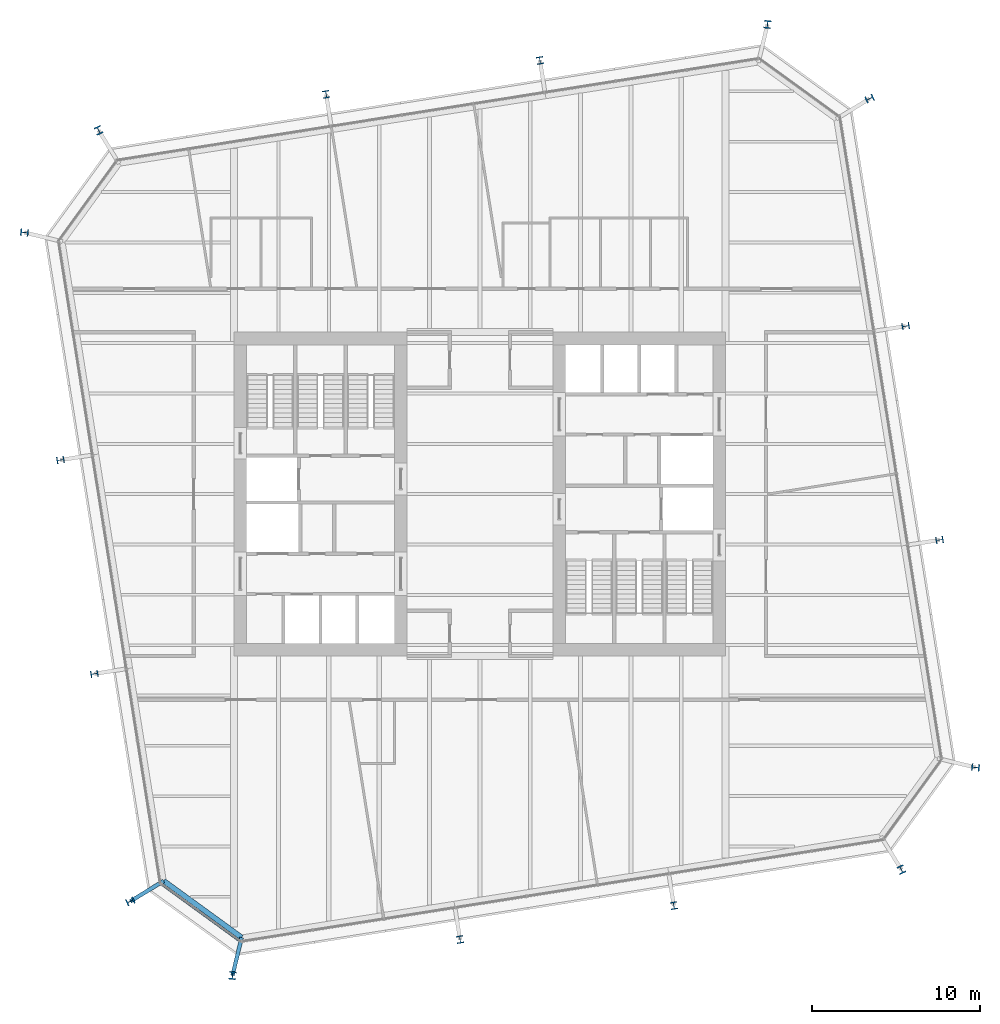
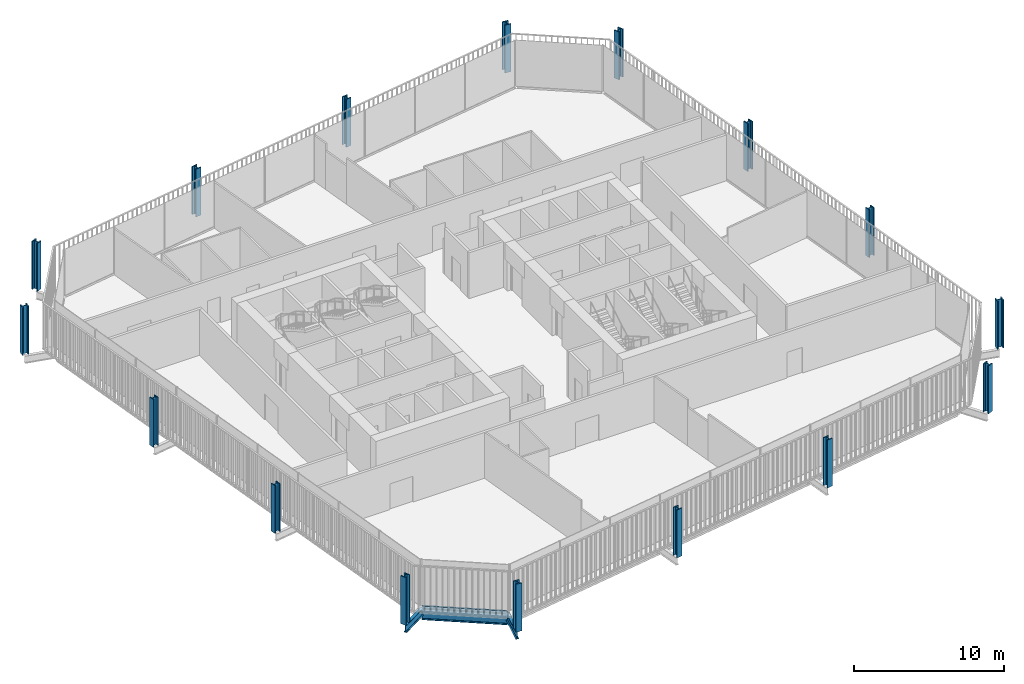
# One storey, part 1 of 21: 16 columns, 3 beams, 1 member, 1 element without a shape of its own.
"""IFC4 building model written with IfcOpenShell, lengths in metres."""

from ifc_helpers import new_model, si_unit, direction, frame, origin, origin_2d, place, context, subcontext, project, spatial, rectangle, i_section, extrude, material, layer, layer_set, material_profile, profile_set, type_object, element, aggregate, save


model = new_model("IFC4")

# Units and contexts
model_context = context("Model", 3, precision=1e-05, world=origin(), true_north=direction((0.0, 1.0)))
body_context = subcontext(model_context, "Body", "Model", "MODEL_VIEW")
ifc_project = project(units=[si_unit("LENGTHUNIT", "METRE"), si_unit("AREAUNIT", "SQUARE_METRE"), si_unit("VOLUMEUNIT", "CUBIC_METRE"), si_unit("PLANEANGLEUNIT", "RADIAN"), si_unit("MASSUNIT", "GRAM", prefix="KILO")], contexts=[model_context])

# Site, building, storey
site_placement = place(None, origin())
site = spatial("IfcSite", under=ifc_project, at=site_placement, CompositionType="ELEMENT")
building_placement = place(site_placement, origin())
building = spatial("IfcBuilding", under=site, at=building_placement, Name="Millrace Tower", CompositionType="ELEMENT")
storey_placement = place(building_placement, frame((0.0, 0.0, 183.89990234375)))
storey = spatial("IfcBuildingStorey", under=building, at=storey_placement, Name="L41", CompositionType="ELEMENT", Elevation=183.89990234375)

# Columns
ifc_material_1 = material(Name="Steel ASTM A913 Grade 65", Category="steel")
ifc_material_profile_1 = material_profile(ifc_material_1, i_section(OverallWidth=0.419189453125, OverallDepth=0.45458984375, WebThickness=0.042236328125, FlangeThickness=0.067626953125, FilletRadius=0.01513671875, at=origin_2d()))
ifc_profile_set_1 = profile_set([ifc_material_profile_1], Name="Steel ASTM A913 Grade 65")
column_type_1 = type_object("IfcColumnType", Name="Exoskeleton column W14x370", PredefinedType="COLUMN", material=ifc_profile_set_1)
for number, where, z_axis, x_axis, name in (
    (1, (-1.181396484375, -26.545166015625, 0.0), (0.0, 0.0, 1.0), (0.987688339156, 0.156434474125, 0.0), "COL-C-L41-X03"),
    (2, (11.5595703125, -24.527099609375, 0.0), (0.0, 0.0, 1.0), (0.987688338239, 0.156434479917, 0.0), "COL-C-L41-X04"),
    (3, (27.39501953125, -2.7314453125, 0.0), (0.0, 0.0, 1.0), (-0.156434474125, 0.987688339156, 0.0), "COL-C-L41-X07"),
    (4, (25.376953125, 10.009765625, 0.0), (0.0, 0.0, 1.0), (-0.156434479917, 0.987688338239, 0.0), "COL-C-L41-X08"),
    (5, (3.58154296875, 25.844970703125, 0.0), (0.0, 0.0, 1.0), (-0.987688339156, -0.156434474125, 0.0), "COL-C-L41-X11"),
    (6, (-9.15966796875, 23.8271484375, 0.0), (0.0, 0.0, 1.0), (-0.987688338239, -0.156434479917, 0.0), "COL-C-L41-X12"),
    (7, (-24.9951171875, 2.031494140625, 0.0), (0.0, 0.0, 1.0), (0.156434474125, -0.987688339156, 0.0), "COL-C-L41-X15"),
    (8, (-22.97705078125, -10.709716796875, 0.0), (0.0, 0.0, 1.0), (0.156434479917, -0.987688338239, 0.0), "COL-C-L41-X16"),
):
    element("IfcColumn", number, at=place(storey_placement, frame(where, z_axis=z_axis, x_axis=x_axis)), inside=storey, type_object=column_type_1, Name=name, PredefinedType="COLUMN", context=body_context, shape_type="SweptSolid", body=[
        extrude(i_section(OverallWidth=0.419189453125, OverallDepth=0.45458984375, WebThickness=0.042236328125, FlangeThickness=0.067626953125, FilletRadius=0.01513671875, at=origin_2d()), origin(), (0.0, 0.0, 1.0), 3.900146484375),
    ])
ifc_material_2 = material(Name="Steel ASTM A913 Grade 65", Category="steel")
ifc_material_profile_2 = material_profile(ifc_material_2, i_section(OverallWidth=0.4267578125, OverallDepth=0.482666015625, WebThickness=0.05126953125, FlangeThickness=0.08154296875, FilletRadius=0.01513671875, at=origin_2d()))
ifc_profile_set_2 = profile_set([ifc_material_profile_2], Name="Steel ASTM A913 Grade 65")
column_type_2 = type_object("IfcColumnType", Name="Exoskeleton column W14x455", PredefinedType="COLUMN", material=ifc_profile_set_2)
for number, where, z_axis, x_axis, name in (
    (9, (-20.829345703125, -24.26904296875, 0.0), (0.0, 0.0, 1.0), (0.416401106568, -0.909181015227, 0.0), "COL-C-L41-X01"),
    (10, (-14.740966796875, -28.692626953125, 0.0), (0.0, 0.0, 1.0), (0.993357548409, -0.115068592665, 0.0), "COL-C-L41-X02"),
    (11, (25.119140625, -22.37939453125, 0.0), (0.0, 0.0, 1.0), (0.909181015227, 0.416401106568, 0.0), "COL-C-L41-X05"),
    (12, (29.542724609375, -16.291015625, 0.0), (0.0, 0.0, 1.0), (0.115068592665, 0.993357548409, 0.0), "COL-C-L41-X06"),
    (13, (23.2294921875, 23.569091796875, 0.0), (0.0, 0.0, 1.0), (-0.416401106568, 0.909181015227, 0.0), "COL-C-L41-X09"),
    (14, (17.140869140625, 27.99267578125, 0.0), (0.0, 0.0, 1.0), (-0.993357548409, 0.115068592665, 0.0), "COL-C-L41-X10"),
    (15, (-22.718994140625, 21.679443359375, 0.0), (0.0, 0.0, 1.0), (-0.909181015227, -0.416401106568, 0.0), "COL-C-L41-X13"),
    (16, (-27.142578125, 15.5908203125, 0.0), (0.0, 0.0, 1.0), (-0.115068592665, -0.993357548409, 0.0), "COL-C-L41-X14"),
):
    element("IfcColumn", number, at=place(storey_placement, frame(where, z_axis=z_axis, x_axis=x_axis)), inside=storey, type_object=column_type_2, Name=name, PredefinedType="COLUMN", context=body_context, shape_type="SweptSolid", body=[
        extrude(i_section(OverallWidth=0.4267578125, OverallDepth=0.482666015625, WebThickness=0.05126953125, FlangeThickness=0.08154296875, FilletRadius=0.01513671875, at=origin_2d()), origin(), (0.0, 0.0, 1.0), 3.900146484375),
    ])

# Curtain wall, member
ifc_material_3 = material(Name="Aluminium and glass", Category="aluminium")
ifc_layer = layer(ifc_material_3, 0.14990234375)
ifc_layer_set = layer_set([ifc_layer], Name="Aluminium and glass")
curtain_wall_type = type_object("IfcCurtainWallType", Name="CW-1 office vision curtain wall", PredefinedType="NOTDEFINED", material=ifc_layer_set)
curtain_wall_placement = place(storey_placement, origin())
curtain_wall = element("IfcCurtainWall", 17, at=curtain_wall_placement, inside=storey, type_object=curtain_wall_type, Name="Curtain wall C-F01 L41", PredefinedType="NOTDEFINED")
ifc_material_4 = material(Name="Aluminium", Category="aluminium")
ifc_material_profile_3 = material_profile(ifc_material_4, rectangle(XDim=0.14990234375, YDim=0.139892578125, at=origin_2d()))
ifc_profile_set_3 = profile_set([ifc_material_profile_3], Name="Aluminium")
member_type = type_object("IfcMemberType", Name="CW-1 office vision curtain wall transom", PredefinedType="USERDEFINED", material=ifc_profile_set_3)
member_placement = place(storey_placement, frame((-18.94677734375, -23.25732421875, 0.070068359375), z_axis=(0.808998591139, -0.587810581339, 0.0), x_axis=(0.587810581339, 0.808998591139, 0.0)))
member = element("IfcMember", 18, at=member_placement, type_object=member_type, Name="CW1 transom C-F01.1", ObjectType="TRANSOM", PredefinedType="USERDEFINED", context=body_context, shape_type="SweptSolid", body=[
    extrude(rectangle(XDim=0.14990234375, YDim=0.139892578125, at=origin_2d()), origin(), (0.0, 0.0, 1.0), 5.6689453125),
])
aggregate(curtain_wall, [member])

# Beams
ifc_material_5 = material(Name="Steel ASTM A992 Grade 50", Category="steel")
ifc_material_profile_4 = material_profile(ifc_material_5, i_section(OverallWidth=0.23046875, OverallDepth=0.6171875, WebThickness=0.01318359375, FlangeThickness=0.022216796875, FilletRadius=0.012939453125, at=origin_2d()))
ifc_profile_set_4 = profile_set([ifc_material_profile_4], Name="Steel ASTM A992 Grade 50")
beam_type_1 = type_object("IfcBeamType", Name="Link beam W24x94", PredefinedType="BEAM", material=ifc_profile_set_4)
for number, where, z_axis, x_axis, name in (
    (19, (-18.841796875, -23.051025390625, -0.468505859375), (-0.852631355792, -0.522512938711, 0.0), (0.522512938711, -0.852631355792, 0.0), "LNK-C-L41-S1-01"),
    (20, (-14.19677734375, -26.426025390625, -0.468505859375), (-0.233456138164, -0.972367333652, 0.0), (0.972367333652, -0.233456138164, 0.0), "LNK-C-L41-S1-16"),
):
    element("IfcBeam", number, at=place(storey_placement, frame(where, z_axis=z_axis, x_axis=x_axis)), inside=storey, type_object=beam_type_1, Name=name, PredefinedType="BEAM", context=body_context, shape_type="SweptSolid", body=[
        extrude(i_section(OverallWidth=0.23046875, OverallDepth=0.6171875, WebThickness=0.01318359375, FlangeThickness=0.022216796875, FilletRadius=0.012939453125, at=origin_2d()), origin(), (0.0, 0.0, 1.0), 2.3310546875),
    ])
ifc_material_6 = material(Name="Steel ASTM A992 Grade 50", Category="steel")
ifc_material_profile_5 = material_profile(ifc_material_6, i_section(OverallWidth=0.307373046875, OverallDepth=0.927001953125, WebThickness=0.01953125, FlangeThickness=0.031982421875, FilletRadius=0.01904296875, at=origin_2d()))
ifc_profile_set_5 = profile_set([ifc_material_profile_5], Name="Steel ASTM A992 Grade 50")
beam_type_2 = type_object("IfcBeamType", Name="Ring beam short span W36x194", PredefinedType="SPANDREL", material=ifc_profile_set_5)
beam_placement = place(storey_placement, frame((-14.19677734375, -26.426025390625, -0.62353515625), z_axis=(-0.80900078054, 0.587807568074, 0.0), x_axis=(-0.587807568074, -0.80900078054, 0.0)))
element("IfcBeam", 21, at=beam_placement, inside=storey, type_object=beam_type_2, Name="RNG-C-L41-S1-16", PredefinedType="SPANDREL", context=body_context, shape_type="SweptSolid", body=[
    extrude(i_section(OverallWidth=0.307373046875, OverallDepth=0.927001953125, WebThickness=0.01953125, FlangeThickness=0.031982421875, FilletRadius=0.01904296875, at=origin_2d()), origin(), (0.0, 0.0, 1.0), 5.74169921875),
])

save(model, "model.ifc")
